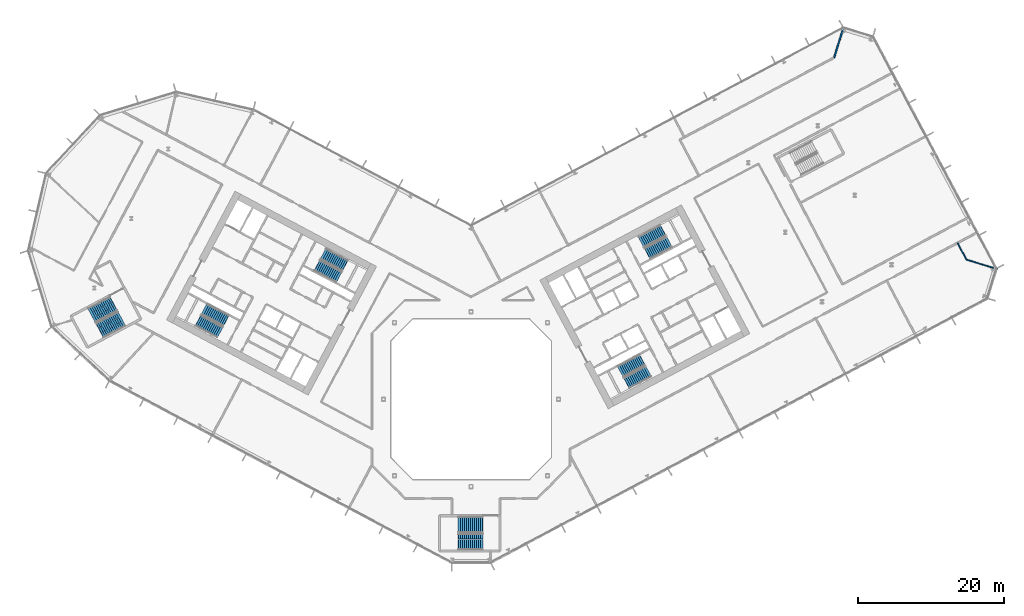
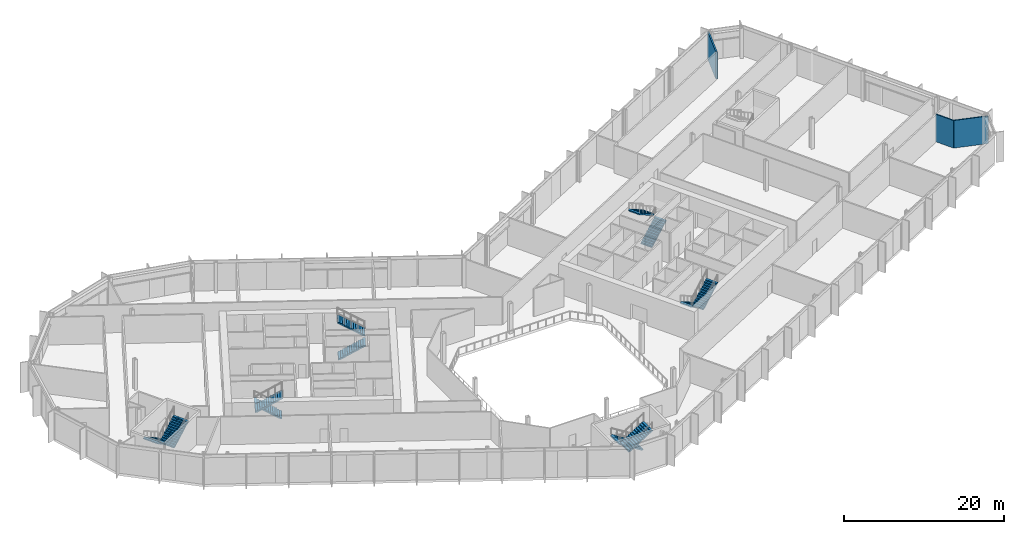
# One storey, part 20 of 32: 12 stair flights, 3 walls, 6 elements without a shape of their own.
"""IFC4 building model written with IfcOpenShell, lengths in metres."""

from ifc_helpers import new_model, si_unit, direction, frame, frame_2d, origin, place, context, subcontext, project, spatial, polyline, rectangle, outline, extrude, material, layer, layer_set, type_object, element, aggregate, save


model = new_model("IFC4")

# Units and contexts
model_context = context("Model", 3, precision=1e-05, world=origin(), true_north=direction((0.0, 1.0)))
body_context = subcontext(model_context, "Body", "Model", "MODEL_VIEW")
ifc_project = project(units=[si_unit("LENGTHUNIT", "METRE"), si_unit("AREAUNIT", "SQUARE_METRE"), si_unit("VOLUMEUNIT", "CUBIC_METRE"), si_unit("PLANEANGLEUNIT", "RADIAN"), si_unit("MASSUNIT", "GRAM", prefix="KILO")], contexts=[model_context])

# Site, building, storey
site_placement = place(None, origin())
site = spatial("IfcSite", under=ifc_project, at=site_placement, CompositionType="ELEMENT")
building_placement = place(site_placement, origin())
building = spatial("IfcBuilding", under=site, at=building_placement, Name="Cormorant Relay Tower", CompositionType="ELEMENT")
storey_placement = place(building_placement, frame((0.0, 0.0, 75.39990234375)))
storey = spatial("IfcBuildingStorey", under=building, at=storey_placement, Name="L14", CompositionType="ELEMENT", Elevation=75.39990234375)

# Walls
ifc_material_1 = material(Name="Fire-rated gypsum board partition")
ifc_layer_1 = layer(ifc_material_1, 0.199951171875)
ifc_layer_set_1 = layer_set([ifc_layer_1], Name="Fire-rated gypsum partition 200")
wall_type_1 = type_object("IfcWallType", Name="Fire-rated gypsum partition 200", PredefinedType="PARTITIONING", material=ifc_layer_set_1)
wall_1_placement = place(storey_placement, frame((49.823974609375, 46.8779296875, 0.0), z_axis=(0.0, 0.0, 1.0), x_axis=(0.29242717897, 0.956287794024, 0.0)))
element("IfcWall", 1, at=wall_1_placement, inside=storey, type_object=wall_type_1, Name="wall/L14/part/39", PredefinedType="PARTITIONING", context=body_context, shape_type="SweptSolid", body=[
    extrude(rectangle(XDim=4.458984375, YDim=0.199951171875, at=frame_2d((2.2294921875, 0.0))), origin(), (0.0, 0.0, 1.0), 4.2001953125),
])
ifc_material_2 = material(Name="Gypsum board partition")
ifc_layer_2 = layer(ifc_material_2, 0.14990234375)
ifc_layer_set_2 = layer_set([ifc_layer_2], Name="Gypsum board partition 150")
wall_type_2 = type_object("IfcWallType", Name="Gypsum board partition 150", PredefinedType="PARTITIONING", material=ifc_layer_set_2)
wall_2_placement = place(storey_placement, frame((66.743896484375, 21.445068359375, 0.0), z_axis=(0.0, 0.0, 1.0), x_axis=(0.469720428517, -0.882815223608, 0.0)))
element("IfcWall", 2, at=wall_2_placement, inside=storey, type_object=wall_type_2, Name="wall/L14/part/50", PredefinedType="PARTITIONING", context=body_context, shape_type="SweptSolid", body=[
    extrude(rectangle(XDim=2.599853515625, YDim=0.14990234375, at=frame_2d((1.2998046875, 0.0))), origin(), (0.0, 0.0, 1.0), 4.2001953125),
])
wall_3_placement = place(storey_placement, frame((67.965087890625, 19.14990234375, 0.0), z_axis=(0.0, 0.0, 1.0), x_axis=(0.956221844793, -0.292642757539, 0.0)))
element("IfcWall", 3, at=wall_3_placement, inside=storey, type_object=wall_type_2, Name="wall/L14/part/51", PredefinedType="PARTITIONING", context=body_context, shape_type="SweptSolid", body=[
    extrude(rectangle(XDim=4.459228515625, YDim=0.14990234375, at=frame_2d((2.2294921875, 0.0))), origin(), (0.0, 0.0, 1.0), 4.2001953125),
])

# Stair, stair flights
ifc_material_3 = material(Name="Concrete 40 MPa", Category="concrete")
stair_type_1 = type_object("IfcStairType", Name="Exit stair 1500", PredefinedType="HALF_TURN_STAIR", material=ifc_material_3)
stair_1_placement = place(storey_placement, origin())
stair_1 = element("IfcStair", 4, at=stair_1_placement, inside=storey, type_object=stair_type_1, Name="L14 Stair", PredefinedType="HALF_TURN_STAIR")
ifc_material_4 = material(Name="Concrete 40 MPa", Category="concrete")
stair_flight_type_1 = type_object("IfcStairFlightType", Name="Exit stair flight 1650", PredefinedType="STRAIGHT", material=ifc_material_4)
stair_flight_1_placement = place(storey_placement, frame((-21.114501953125, 18.33349609375, 0.0), z_axis=(0.0, 0.0, 1.0), x_axis=(0.882947592859, -0.469471562786, 0.0)))
stair_flight_1 = element("IfcStairFlight", 5, at=stair_flight_1_placement, type_object=stair_flight_type_1, Name="A1 flight 1", NumberOfRisers=13, NumberOfTreads=12, PredefinedType="STRAIGHT", RiserHeight=0.176923077, TreadLength=0.28, context=body_context, shape_type="SweptSolid", body=[
    extrude(outline(polyline([(-0.050048828125, -0.080078125), (-0.050048828125, 0.0), (0.0, 0.0), (0.0, 0.177001953125), (0.280029296875, 0.177001953125), (0.280029296875, 0.353759765625), (0.56005859375, 0.353759765625), (0.56005859375, 0.53076171875), (0.840087890625, 0.53076171875), (0.840087890625, 0.707763671875), (1.1201171875, 0.707763671875), (1.1201171875, 0.884521484375), (1.39990234375, 0.884521484375), (1.39990234375, 1.0615234375), (1.679931640625, 1.0615234375), (1.679931640625, 1.238525390625), (1.9599609375, 1.238525390625), (1.9599609375, 1.415283203125), (2.239990234375, 1.415283203125), (2.239990234375, 1.59228515625), (2.52001953125, 1.59228515625), (2.52001953125, 1.769287109375), (2.800048828125, 1.769287109375), (2.800048828125, 1.946044921875), (3.080078125, 1.946044921875), (3.080078125, 2.123046875), (3.360107421875, 2.123046875), (3.41015625, 2.123046875), (3.41015625, 1.94580078125), (3.360107421875, 1.94580078125), (0.280517578125, 0.0), (-0.050048828125, -0.080078125)])), frame((0.0, 0.824951171875, 0.0), z_axis=(0.0, -1.0, 0.0), x_axis=(1.0, 0.0, 0.0)), (0.0, 0.0, 1.0), 1.64990234375),
])
stair_flight_2_placement = place(storey_placement, frame((-17.302734375, 18.345458984375, 2.300048828125), z_axis=(0.0, 0.0, 1.0), x_axis=(-0.882947592859, 0.469471562786, 0.0)))
stair_flight_2 = element("IfcStairFlight", 6, at=stair_flight_2_placement, type_object=stair_flight_type_1, Name="A1 flight 2", NumberOfRisers=13, NumberOfTreads=12, PredefinedType="STRAIGHT", RiserHeight=0.176923077, TreadLength=0.28, context=body_context, shape_type="SweptSolid", body=[
    extrude(outline(polyline([(-0.050048828125, -0.080078125), (-0.050048828125, 0.0), (0.0, 0.0), (0.0, 0.177001953125), (0.280029296875, 0.177001953125), (0.280029296875, 0.353759765625), (0.56005859375, 0.353759765625), (0.56005859375, 0.53076171875), (0.840087890625, 0.53076171875), (0.840087890625, 0.707763671875), (1.1201171875, 0.707763671875), (1.1201171875, 0.884521484375), (1.39990234375, 0.884521484375), (1.39990234375, 1.0615234375), (1.679931640625, 1.0615234375), (1.679931640625, 1.238525390625), (1.9599609375, 1.238525390625), (1.9599609375, 1.415283203125), (2.239990234375, 1.415283203125), (2.239990234375, 1.59228515625), (2.52001953125, 1.59228515625), (2.52001953125, 1.769287109375), (2.800048828125, 1.769287109375), (2.800048828125, 1.946044921875), (3.080078125, 1.946044921875), (3.080078125, 2.123046875), (3.360107421875, 2.123046875), (3.41015625, 2.123046875), (3.41015625, 1.94580078125), (3.360107421875, 1.94580078125), (0.280517578125, 0.0), (-0.050048828125, -0.080078125)])), frame((0.0, 0.824951171875, 0.0), z_axis=(0.0, -1.0, 0.0), x_axis=(1.0, 0.0, 0.0)), (0.0, 0.0, 1.0), 1.64990234375),
])
aggregate(stair_1, [stair_flight_1, stair_flight_2])

stair_2_placement = place(storey_placement, origin())
stair_2 = element("IfcStair", 7, at=stair_2_placement, inside=storey, type_object=stair_type_1, Name="L14 Stair", PredefinedType="HALF_TURN_STAIR")
stair_flight_3_placement = place(storey_placement, frame((-33.62841796875, 10.773681640625, 0.0), z_axis=(0.0, 0.0, 1.0), x_axis=(-0.882947592859, 0.469471562786, 0.0)))
stair_flight_3 = element("IfcStairFlight", 8, at=stair_flight_3_placement, type_object=stair_flight_type_1, Name="A2 flight 1", NumberOfRisers=13, NumberOfTreads=12, PredefinedType="STRAIGHT", RiserHeight=0.176923077, TreadLength=0.28, context=body_context, shape_type="SweptSolid", body=[
    extrude(outline(polyline([(-0.050048828125, -0.080078125), (-0.050048828125, 0.0), (0.0, 0.0), (0.0, 0.177001953125), (0.280029296875, 0.177001953125), (0.280029296875, 0.353759765625), (0.56005859375, 0.353759765625), (0.56005859375, 0.53076171875), (0.840087890625, 0.53076171875), (0.840087890625, 0.707763671875), (1.1201171875, 0.707763671875), (1.1201171875, 0.884521484375), (1.39990234375, 0.884521484375), (1.39990234375, 1.0615234375), (1.679931640625, 1.0615234375), (1.679931640625, 1.238525390625), (1.9599609375, 1.238525390625), (1.9599609375, 1.415283203125), (2.239990234375, 1.415283203125), (2.239990234375, 1.59228515625), (2.52001953125, 1.59228515625), (2.52001953125, 1.769287109375), (2.800048828125, 1.769287109375), (2.800048828125, 1.946044921875), (3.080078125, 1.946044921875), (3.080078125, 2.123046875), (3.360107421875, 2.123046875), (3.41015625, 2.123046875), (3.41015625, 1.94580078125), (3.360107421875, 1.94580078125), (0.280517578125, 0.0), (-0.050048828125, -0.080078125)])), frame((0.0, 0.824951171875, 0.0), z_axis=(0.0, -1.0, 0.0), x_axis=(1.0, 0.0, 0.0)), (0.0, 0.0, 1.0), 1.64990234375),
])
stair_flight_4_placement = place(storey_placement, frame((-37.440185546875, 10.76171875, 2.300048828125), z_axis=(0.0, 0.0, 1.0), x_axis=(0.882947592859, -0.469471562786, 0.0)))
stair_flight_4 = element("IfcStairFlight", 9, at=stair_flight_4_placement, type_object=stair_flight_type_1, Name="A2 flight 2", NumberOfRisers=13, NumberOfTreads=12, PredefinedType="STRAIGHT", RiserHeight=0.176923077, TreadLength=0.28, context=body_context, shape_type="SweptSolid", body=[
    extrude(outline(polyline([(-0.050048828125, -0.080078125), (-0.050048828125, 0.0), (0.0, 0.0), (0.0, 0.177001953125), (0.280029296875, 0.177001953125), (0.280029296875, 0.353759765625), (0.56005859375, 0.353759765625), (0.56005859375, 0.53076171875), (0.840087890625, 0.53076171875), (0.840087890625, 0.707763671875), (1.1201171875, 0.707763671875), (1.1201171875, 0.884521484375), (1.39990234375, 0.884521484375), (1.39990234375, 1.0615234375), (1.679931640625, 1.0615234375), (1.679931640625, 1.238525390625), (1.9599609375, 1.238525390625), (1.9599609375, 1.415283203125), (2.239990234375, 1.415283203125), (2.239990234375, 1.59228515625), (2.52001953125, 1.59228515625), (2.52001953125, 1.769287109375), (2.800048828125, 1.769287109375), (2.800048828125, 1.946044921875), (3.080078125, 1.946044921875), (3.080078125, 2.123046875), (3.360107421875, 2.123046875), (3.41015625, 2.123046875), (3.41015625, 1.94580078125), (3.360107421875, 1.94580078125), (0.280517578125, 0.0), (-0.050048828125, -0.080078125)])), frame((0.0, 0.824951171875, 0.0), z_axis=(0.0, -1.0, 0.0), x_axis=(1.0, 0.0, 0.0)), (0.0, 0.0, 1.0), 1.64990234375),
])
aggregate(stair_2, [stair_flight_3, stair_flight_4])

stair_3_placement = place(storey_placement, origin())
stair_3 = element("IfcStair", 10, at=stair_3_placement, inside=storey, type_object=stair_type_1, Name="L14 Stair", PredefinedType="HALF_TURN_STAIR")
stair_flight_5_placement = place(storey_placement, frame((23.474365234375, 5.374755859375, 0.0), z_axis=(0.0, 0.0, 1.0), x_axis=(-0.882947592859, -0.469471562786, 0.0)))
stair_flight_5 = element("IfcStairFlight", 11, at=stair_flight_5_placement, type_object=stair_flight_type_1, Name="B1 flight 1", NumberOfRisers=13, NumberOfTreads=12, PredefinedType="STRAIGHT", RiserHeight=0.176923077, TreadLength=0.28, context=body_context, shape_type="SweptSolid", body=[
    extrude(outline(polyline([(-0.050048828125, -0.080078125), (-0.050048828125, 0.0), (0.0, 0.0), (0.0, 0.177001953125), (0.280029296875, 0.177001953125), (0.280029296875, 0.353759765625), (0.56005859375, 0.353759765625), (0.56005859375, 0.53076171875), (0.840087890625, 0.53076171875), (0.840087890625, 0.707763671875), (1.1201171875, 0.707763671875), (1.1201171875, 0.884521484375), (1.39990234375, 0.884521484375), (1.39990234375, 1.0615234375), (1.679931640625, 1.0615234375), (1.679931640625, 1.238525390625), (1.9599609375, 1.238525390625), (1.9599609375, 1.415283203125), (2.239990234375, 1.415283203125), (2.239990234375, 1.59228515625), (2.52001953125, 1.59228515625), (2.52001953125, 1.769287109375), (2.800048828125, 1.769287109375), (2.800048828125, 1.946044921875), (3.080078125, 1.946044921875), (3.080078125, 2.123046875), (3.360107421875, 2.123046875), (3.41015625, 2.123046875), (3.41015625, 1.94580078125), (3.360107421875, 1.94580078125), (0.280517578125, 0.0), (-0.050048828125, -0.080078125)])), frame((0.0, 0.824951171875, 0.0), z_axis=(0.0, -1.0, 0.0), x_axis=(1.0, 0.0, 0.0)), (0.0, 0.0, 1.0), 1.64990234375),
])
stair_flight_6_placement = place(storey_placement, frame((21.352783203125, 2.2080078125, 2.300048828125), z_axis=(0.0, 0.0, 1.0), x_axis=(0.882947592859, 0.469471562786, 0.0)))
stair_flight_6 = element("IfcStairFlight", 12, at=stair_flight_6_placement, type_object=stair_flight_type_1, Name="B1 flight 2", NumberOfRisers=13, NumberOfTreads=12, PredefinedType="STRAIGHT", RiserHeight=0.176923077, TreadLength=0.28, context=body_context, shape_type="SweptSolid", body=[
    extrude(outline(polyline([(-0.050048828125, -0.080078125), (-0.050048828125, 0.0), (0.0, 0.0), (0.0, 0.177001953125), (0.280029296875, 0.177001953125), (0.280029296875, 0.353759765625), (0.56005859375, 0.353759765625), (0.56005859375, 0.53076171875), (0.840087890625, 0.53076171875), (0.840087890625, 0.707763671875), (1.1201171875, 0.707763671875), (1.1201171875, 0.884521484375), (1.39990234375, 0.884521484375), (1.39990234375, 1.0615234375), (1.679931640625, 1.0615234375), (1.679931640625, 1.238525390625), (1.9599609375, 1.238525390625), (1.9599609375, 1.415283203125), (2.239990234375, 1.415283203125), (2.239990234375, 1.59228515625), (2.52001953125, 1.59228515625), (2.52001953125, 1.769287109375), (2.800048828125, 1.769287109375), (2.800048828125, 1.946044921875), (3.080078125, 1.946044921875), (3.080078125, 2.123046875), (3.360107421875, 2.123046875), (3.41015625, 2.123046875), (3.41015625, 1.94580078125), (3.360107421875, 1.94580078125), (0.280517578125, 0.0), (-0.050048828125, -0.080078125)])), frame((0.0, 0.824951171875, 0.0), z_axis=(0.0, -1.0, 0.0), x_axis=(1.0, 0.0, 0.0)), (0.0, 0.0, 1.0), 1.64990234375),
])
aggregate(stair_3, [stair_flight_5, stair_flight_6])

stair_4_placement = place(storey_placement, origin())
stair_4 = element("IfcStair", 13, at=stair_4_placement, inside=storey, type_object=stair_type_1, Name="L14 Stair", PredefinedType="HALF_TURN_STAIR")
stair_flight_7_placement = place(storey_placement, frame((24.20458984375, 19.976806640625, 0.0), z_axis=(0.0, 0.0, 1.0), x_axis=(0.882947592859, 0.469471562786, 0.0)))
stair_flight_7 = element("IfcStairFlight", 14, at=stair_flight_7_placement, type_object=stair_flight_type_1, Name="B2 flight 1", NumberOfRisers=13, NumberOfTreads=12, PredefinedType="STRAIGHT", RiserHeight=0.176923077, TreadLength=0.28, context=body_context, shape_type="SweptSolid", body=[
    extrude(outline(polyline([(-0.050048828125, -0.080078125), (-0.050048828125, 0.0), (0.0, 0.0), (0.0, 0.177001953125), (0.280029296875, 0.177001953125), (0.280029296875, 0.353759765625), (0.56005859375, 0.353759765625), (0.56005859375, 0.53076171875), (0.840087890625, 0.53076171875), (0.840087890625, 0.707763671875), (1.1201171875, 0.707763671875), (1.1201171875, 0.884521484375), (1.39990234375, 0.884521484375), (1.39990234375, 1.0615234375), (1.679931640625, 1.0615234375), (1.679931640625, 1.238525390625), (1.9599609375, 1.238525390625), (1.9599609375, 1.415283203125), (2.239990234375, 1.415283203125), (2.239990234375, 1.59228515625), (2.52001953125, 1.59228515625), (2.52001953125, 1.769287109375), (2.800048828125, 1.769287109375), (2.800048828125, 1.946044921875), (3.080078125, 1.946044921875), (3.080078125, 2.123046875), (3.360107421875, 2.123046875), (3.41015625, 2.123046875), (3.41015625, 1.94580078125), (3.360107421875, 1.94580078125), (0.280517578125, 0.0), (-0.050048828125, -0.080078125)])), frame((0.0, 0.824951171875, 0.0), z_axis=(0.0, -1.0, 0.0), x_axis=(1.0, 0.0, 0.0)), (0.0, 0.0, 1.0), 1.64990234375),
])
stair_flight_8_placement = place(storey_placement, frame((26.326416015625, 23.1435546875, 2.300048828125), z_axis=(0.0, 0.0, 1.0), x_axis=(-0.882947592859, -0.469471562786, 0.0)))
stair_flight_8 = element("IfcStairFlight", 15, at=stair_flight_8_placement, type_object=stair_flight_type_1, Name="B2 flight 2", NumberOfRisers=13, NumberOfTreads=12, PredefinedType="STRAIGHT", RiserHeight=0.176923077, TreadLength=0.28, context=body_context, shape_type="SweptSolid", body=[
    extrude(outline(polyline([(-0.050048828125, -0.080078125), (-0.050048828125, 0.0), (0.0, 0.0), (0.0, 0.177001953125), (0.280029296875, 0.177001953125), (0.280029296875, 0.353759765625), (0.56005859375, 0.353759765625), (0.56005859375, 0.53076171875), (0.840087890625, 0.53076171875), (0.840087890625, 0.707763671875), (1.1201171875, 0.707763671875), (1.1201171875, 0.884521484375), (1.39990234375, 0.884521484375), (1.39990234375, 1.0615234375), (1.679931640625, 1.0615234375), (1.679931640625, 1.238525390625), (1.9599609375, 1.238525390625), (1.9599609375, 1.415283203125), (2.239990234375, 1.415283203125), (2.239990234375, 1.59228515625), (2.52001953125, 1.59228515625), (2.52001953125, 1.769287109375), (2.800048828125, 1.769287109375), (2.800048828125, 1.946044921875), (3.080078125, 1.946044921875), (3.080078125, 2.123046875), (3.360107421875, 2.123046875), (3.41015625, 2.123046875), (3.41015625, 1.94580078125), (3.360107421875, 1.94580078125), (0.280517578125, 0.0), (-0.050048828125, -0.080078125)])), frame((0.0, 0.824951171875, 0.0), z_axis=(0.0, -1.0, 0.0), x_axis=(1.0, 0.0, 0.0)), (0.0, 0.0, 1.0), 1.64990234375),
])
aggregate(stair_4, [stair_flight_7, stair_flight_8])

ifc_material_5 = material(Name="Concrete 40 MPa", Category="concrete")
stair_type_2 = type_object("IfcStairType", Name="Remote exit stair 2200", PredefinedType="HALF_TURN_STAIR", material=ifc_material_5)
stair_5_placement = place(storey_placement, origin())
stair_5 = element("IfcStair", 16, at=stair_5_placement, inside=storey, type_object=stair_type_2, Name="L14 Stair", PredefinedType="HALF_TURN_STAIR")
ifc_material_6 = material(Name="Concrete 40 MPa", Category="concrete")
stair_flight_type_2 = type_object("IfcStairFlightType", Name="Remote exit stair flight 2200", PredefinedType="STRAIGHT", material=ifc_material_6)
stair_flight_9_placement = place(storey_placement, frame((1.60009765625, -17.22509765625, 0.0), z_axis=(0.0, 0.0, 1.0), x_axis=(-1.0, 0.0, 0.0)))
stair_flight_9 = element("IfcStairFlight", 17, at=stair_flight_9_placement, type_object=stair_flight_type_2, Name="RK1 flight 1", NumberOfRisers=13, NumberOfTreads=12, PredefinedType="STRAIGHT", RiserHeight=0.176923077, TreadLength=0.28, context=body_context, shape_type="SweptSolid", body=[
    extrude(outline(polyline([(-0.050048828125, -0.080078125), (-0.050048828125, 0.0), (0.0, 0.0), (0.0, 0.177001953125), (0.280029296875, 0.177001953125), (0.280029296875, 0.353759765625), (0.56005859375, 0.353759765625), (0.56005859375, 0.53076171875), (0.840087890625, 0.53076171875), (0.840087890625, 0.707763671875), (1.1201171875, 0.707763671875), (1.1201171875, 0.884521484375), (1.39990234375, 0.884521484375), (1.39990234375, 1.0615234375), (1.679931640625, 1.0615234375), (1.679931640625, 1.238525390625), (1.9599609375, 1.238525390625), (1.9599609375, 1.415283203125), (2.239990234375, 1.415283203125), (2.239990234375, 1.59228515625), (2.52001953125, 1.59228515625), (2.52001953125, 1.769287109375), (2.800048828125, 1.769287109375), (2.800048828125, 1.946044921875), (3.080078125, 1.946044921875), (3.080078125, 2.123046875), (3.360107421875, 2.123046875), (3.41015625, 2.123046875), (3.41015625, 1.94580078125), (3.360107421875, 1.94580078125), (0.280517578125, 0.0), (-0.050048828125, -0.080078125)])), frame((0.0, 1.10009765625, 0.0), z_axis=(0.0, -1.0, 0.0), x_axis=(1.0, 0.0, 0.0)), (0.0, 0.0, 1.0), 0.719970703125),
    extrude(outline(polyline([(-0.050048828125, -0.080078125), (-0.050048828125, 0.0), (0.0, 0.0), (0.0, 0.177001953125), (0.280029296875, 0.177001953125), (0.280029296875, 0.353759765625), (0.56005859375, 0.353759765625), (0.56005859375, 0.53076171875), (0.840087890625, 0.53076171875), (0.840087890625, 0.707763671875), (1.1201171875, 0.707763671875), (1.1201171875, 0.884521484375), (1.39990234375, 0.884521484375), (1.39990234375, 1.0615234375), (1.679931640625, 1.0615234375), (1.679931640625, 1.238525390625), (1.9599609375, 1.238525390625), (1.9599609375, 1.415283203125), (2.239990234375, 1.415283203125), (2.239990234375, 1.59228515625), (2.52001953125, 1.59228515625), (2.52001953125, 1.769287109375), (2.800048828125, 1.769287109375), (2.800048828125, 1.946044921875), (3.080078125, 1.946044921875), (3.080078125, 2.123046875), (3.360107421875, 2.123046875), (3.41015625, 2.123046875), (3.41015625, 1.94580078125), (3.360107421875, 1.94580078125), (0.280517578125, 0.0), (-0.050048828125, -0.080078125)])), frame((0.0, 0.360107421875, 0.0), z_axis=(0.0, -1.0, 0.0), x_axis=(1.0, 0.0, 0.0)), (0.0, 0.0, 1.0), 0.719970703125),
    extrude(outline(polyline([(-0.050048828125, -0.080078125), (-0.050048828125, 0.0), (0.0, 0.0), (0.0, 0.177001953125), (0.280029296875, 0.177001953125), (0.280029296875, 0.353759765625), (0.56005859375, 0.353759765625), (0.56005859375, 0.53076171875), (0.840087890625, 0.53076171875), (0.840087890625, 0.707763671875), (1.1201171875, 0.707763671875), (1.1201171875, 0.884521484375), (1.39990234375, 0.884521484375), (1.39990234375, 1.0615234375), (1.679931640625, 1.0615234375), (1.679931640625, 1.238525390625), (1.9599609375, 1.238525390625), (1.9599609375, 1.415283203125), (2.239990234375, 1.415283203125), (2.239990234375, 1.59228515625), (2.52001953125, 1.59228515625), (2.52001953125, 1.769287109375), (2.800048828125, 1.769287109375), (2.800048828125, 1.946044921875), (3.080078125, 1.946044921875), (3.080078125, 2.123046875), (3.360107421875, 2.123046875), (3.41015625, 2.123046875), (3.41015625, 1.94580078125), (3.360107421875, 1.94580078125), (0.280517578125, 0.0), (-0.050048828125, -0.080078125)])), frame((0.0, -0.3798828125, 0.0), z_axis=(0.0, -1.0, 0.0), x_axis=(1.0, 0.0, 0.0)), (0.0, 0.0, 1.0), 0.719970703125),
])
stair_flight_10_placement = place(storey_placement, frame((-1.760009765625, -19.574951171875, 2.300048828125), z_axis=(0.0, 0.0, 1.0), x_axis=(1.0, 0.0, 0.0)))
stair_flight_10 = element("IfcStairFlight", 18, at=stair_flight_10_placement, type_object=stair_flight_type_2, Name="RK1 flight 2", NumberOfRisers=13, NumberOfTreads=12, PredefinedType="STRAIGHT", RiserHeight=0.176923077, TreadLength=0.28, context=body_context, shape_type="SweptSolid", body=[
    extrude(outline(polyline([(-0.050048828125, -0.080078125), (-0.050048828125, 0.0), (0.0, 0.0), (0.0, 0.177001953125), (0.280029296875, 0.177001953125), (0.280029296875, 0.353759765625), (0.56005859375, 0.353759765625), (0.56005859375, 0.53076171875), (0.840087890625, 0.53076171875), (0.840087890625, 0.707763671875), (1.1201171875, 0.707763671875), (1.1201171875, 0.884521484375), (1.39990234375, 0.884521484375), (1.39990234375, 1.0615234375), (1.679931640625, 1.0615234375), (1.679931640625, 1.238525390625), (1.9599609375, 1.238525390625), (1.9599609375, 1.415283203125), (2.239990234375, 1.415283203125), (2.239990234375, 1.59228515625), (2.52001953125, 1.59228515625), (2.52001953125, 1.769287109375), (2.800048828125, 1.769287109375), (2.800048828125, 1.946044921875), (3.080078125, 1.946044921875), (3.080078125, 2.123046875), (3.360107421875, 2.123046875), (3.41015625, 2.123046875), (3.41015625, 1.94580078125), (3.360107421875, 1.94580078125), (0.280517578125, 0.0), (-0.050048828125, -0.080078125)])), frame((0.0, 1.10009765625, 0.0), z_axis=(0.0, -1.0, 0.0), x_axis=(1.0, 0.0, 0.0)), (0.0, 0.0, 1.0), 0.719970703125),
    extrude(outline(polyline([(-0.050048828125, -0.080078125), (-0.050048828125, 0.0), (0.0, 0.0), (0.0, 0.177001953125), (0.280029296875, 0.177001953125), (0.280029296875, 0.353759765625), (0.56005859375, 0.353759765625), (0.56005859375, 0.53076171875), (0.840087890625, 0.53076171875), (0.840087890625, 0.707763671875), (1.1201171875, 0.707763671875), (1.1201171875, 0.884521484375), (1.39990234375, 0.884521484375), (1.39990234375, 1.0615234375), (1.679931640625, 1.0615234375), (1.679931640625, 1.238525390625), (1.9599609375, 1.238525390625), (1.9599609375, 1.415283203125), (2.239990234375, 1.415283203125), (2.239990234375, 1.59228515625), (2.52001953125, 1.59228515625), (2.52001953125, 1.769287109375), (2.800048828125, 1.769287109375), (2.800048828125, 1.946044921875), (3.080078125, 1.946044921875), (3.080078125, 2.123046875), (3.360107421875, 2.123046875), (3.41015625, 2.123046875), (3.41015625, 1.94580078125), (3.360107421875, 1.94580078125), (0.280517578125, 0.0), (-0.050048828125, -0.080078125)])), frame((0.0, 0.360107421875, 0.0), z_axis=(0.0, -1.0, 0.0), x_axis=(1.0, 0.0, 0.0)), (0.0, 0.0, 1.0), 0.719970703125),
    extrude(outline(polyline([(-0.050048828125, -0.080078125), (-0.050048828125, 0.0), (0.0, 0.0), (0.0, 0.177001953125), (0.280029296875, 0.177001953125), (0.280029296875, 0.353759765625), (0.56005859375, 0.353759765625), (0.56005859375, 0.53076171875), (0.840087890625, 0.53076171875), (0.840087890625, 0.707763671875), (1.1201171875, 0.707763671875), (1.1201171875, 0.884521484375), (1.39990234375, 0.884521484375), (1.39990234375, 1.0615234375), (1.679931640625, 1.0615234375), (1.679931640625, 1.238525390625), (1.9599609375, 1.238525390625), (1.9599609375, 1.415283203125), (2.239990234375, 1.415283203125), (2.239990234375, 1.59228515625), (2.52001953125, 1.59228515625), (2.52001953125, 1.769287109375), (2.800048828125, 1.769287109375), (2.800048828125, 1.946044921875), (3.080078125, 1.946044921875), (3.080078125, 2.123046875), (3.360107421875, 2.123046875), (3.41015625, 2.123046875), (3.41015625, 1.94580078125), (3.360107421875, 1.94580078125), (0.280517578125, 0.0), (-0.050048828125, -0.080078125)])), frame((0.0, -0.3798828125, 0.0), z_axis=(0.0, -1.0, 0.0), x_axis=(1.0, 0.0, 0.0)), (0.0, 0.0, 1.0), 0.719970703125),
])
aggregate(stair_5, [stair_flight_9, stair_flight_10])

stair_6_placement = place(storey_placement, origin())
stair_6 = element("IfcStair", 19, at=stair_6_placement, inside=storey, type_object=stair_type_2, Name="L14 Stair", PredefinedType="HALF_TURN_STAIR")
stair_flight_11_placement = place(storey_placement, frame((-49.062255859375, 13.08251953125, 0.0), z_axis=(0.0, 0.0, 1.0), x_axis=(-0.882947502727, -0.4694717323, 0.0)))
stair_flight_11 = element("IfcStairFlight", 20, at=stair_flight_11_placement, type_object=stair_flight_type_2, Name="RP1 flight 1", NumberOfRisers=13, NumberOfTreads=12, PredefinedType="STRAIGHT", RiserHeight=0.176923077, TreadLength=0.28, context=body_context, shape_type="SweptSolid", body=[
    extrude(outline(polyline([(-0.050048828125, -0.080078125), (-0.050048828125, 0.0), (0.0, 0.0), (0.0, 0.177001953125), (0.280029296875, 0.177001953125), (0.280029296875, 0.353759765625), (0.56005859375, 0.353759765625), (0.56005859375, 0.53076171875), (0.840087890625, 0.53076171875), (0.840087890625, 0.707763671875), (1.1201171875, 0.707763671875), (1.1201171875, 0.884521484375), (1.39990234375, 0.884521484375), (1.39990234375, 1.0615234375), (1.679931640625, 1.0615234375), (1.679931640625, 1.238525390625), (1.9599609375, 1.238525390625), (1.9599609375, 1.415283203125), (2.239990234375, 1.415283203125), (2.239990234375, 1.59228515625), (2.52001953125, 1.59228515625), (2.52001953125, 1.769287109375), (2.800048828125, 1.769287109375), (2.800048828125, 1.946044921875), (3.080078125, 1.946044921875), (3.080078125, 2.123046875), (3.360107421875, 2.123046875), (3.41015625, 2.123046875), (3.41015625, 1.94580078125), (3.360107421875, 1.94580078125), (0.280517578125, 0.0), (-0.050048828125, -0.080078125)])), frame((0.0, 1.10009765625, 0.0), z_axis=(0.0, -1.0, 0.0), x_axis=(1.0, 0.0, 0.0)), (0.0, 0.0, 1.0), 0.719970703125),
    extrude(outline(polyline([(-0.050048828125, -0.080078125), (-0.050048828125, 0.0), (0.0, 0.0), (0.0, 0.177001953125), (0.280029296875, 0.177001953125), (0.280029296875, 0.353759765625), (0.56005859375, 0.353759765625), (0.56005859375, 0.53076171875), (0.840087890625, 0.53076171875), (0.840087890625, 0.707763671875), (1.1201171875, 0.707763671875), (1.1201171875, 0.884521484375), (1.39990234375, 0.884521484375), (1.39990234375, 1.0615234375), (1.679931640625, 1.0615234375), (1.679931640625, 1.238525390625), (1.9599609375, 1.238525390625), (1.9599609375, 1.415283203125), (2.239990234375, 1.415283203125), (2.239990234375, 1.59228515625), (2.52001953125, 1.59228515625), (2.52001953125, 1.769287109375), (2.800048828125, 1.769287109375), (2.800048828125, 1.946044921875), (3.080078125, 1.946044921875), (3.080078125, 2.123046875), (3.360107421875, 2.123046875), (3.41015625, 2.123046875), (3.41015625, 1.94580078125), (3.360107421875, 1.94580078125), (0.280517578125, 0.0), (-0.050048828125, -0.080078125)])), frame((0.0, 0.360107421875, 0.0), z_axis=(0.0, -1.0, 0.0), x_axis=(1.0, 0.0, 0.0)), (0.0, 0.0, 1.0), 0.719970703125),
    extrude(outline(polyline([(-0.050048828125, -0.080078125), (-0.050048828125, 0.0), (0.0, 0.0), (0.0, 0.177001953125), (0.280029296875, 0.177001953125), (0.280029296875, 0.353759765625), (0.56005859375, 0.353759765625), (0.56005859375, 0.53076171875), (0.840087890625, 0.53076171875), (0.840087890625, 0.707763671875), (1.1201171875, 0.707763671875), (1.1201171875, 0.884521484375), (1.39990234375, 0.884521484375), (1.39990234375, 1.0615234375), (1.679931640625, 1.0615234375), (1.679931640625, 1.238525390625), (1.9599609375, 1.238525390625), (1.9599609375, 1.415283203125), (2.239990234375, 1.415283203125), (2.239990234375, 1.59228515625), (2.52001953125, 1.59228515625), (2.52001953125, 1.769287109375), (2.800048828125, 1.769287109375), (2.800048828125, 1.946044921875), (3.080078125, 1.946044921875), (3.080078125, 2.123046875), (3.360107421875, 2.123046875), (3.41015625, 2.123046875), (3.41015625, 1.94580078125), (3.360107421875, 1.94580078125), (0.280517578125, 0.0), (-0.050048828125, -0.080078125)])), frame((0.0, -0.3798828125, 0.0), z_axis=(0.0, -1.0, 0.0), x_axis=(1.0, 0.0, 0.0)), (0.0, 0.0, 1.0), 0.719970703125),
])
stair_flight_12_placement = place(storey_placement, frame((-50.92578125, 9.43017578125, 2.300048828125), z_axis=(0.0, 0.0, 1.0), x_axis=(0.882947502727, 0.4694717323, 0.0)))
stair_flight_12 = element("IfcStairFlight", 21, at=stair_flight_12_placement, type_object=stair_flight_type_2, Name="RP1 flight 2", NumberOfRisers=13, NumberOfTreads=12, PredefinedType="STRAIGHT", RiserHeight=0.176923077, TreadLength=0.28, context=body_context, shape_type="SweptSolid", body=[
    extrude(outline(polyline([(-0.050048828125, -0.080078125), (-0.050048828125, 0.0), (0.0, 0.0), (0.0, 0.177001953125), (0.280029296875, 0.177001953125), (0.280029296875, 0.353759765625), (0.56005859375, 0.353759765625), (0.56005859375, 0.53076171875), (0.840087890625, 0.53076171875), (0.840087890625, 0.707763671875), (1.1201171875, 0.707763671875), (1.1201171875, 0.884521484375), (1.39990234375, 0.884521484375), (1.39990234375, 1.0615234375), (1.679931640625, 1.0615234375), (1.679931640625, 1.238525390625), (1.9599609375, 1.238525390625), (1.9599609375, 1.415283203125), (2.239990234375, 1.415283203125), (2.239990234375, 1.59228515625), (2.52001953125, 1.59228515625), (2.52001953125, 1.769287109375), (2.800048828125, 1.769287109375), (2.800048828125, 1.946044921875), (3.080078125, 1.946044921875), (3.080078125, 2.123046875), (3.360107421875, 2.123046875), (3.41015625, 2.123046875), (3.41015625, 1.94580078125), (3.360107421875, 1.94580078125), (0.280517578125, 0.0), (-0.050048828125, -0.080078125)])), frame((0.0, 1.10009765625, 0.0), z_axis=(0.0, -1.0, 0.0), x_axis=(1.0, 0.0, 0.0)), (0.0, 0.0, 1.0), 0.719970703125),
    extrude(outline(polyline([(-0.050048828125, -0.080078125), (-0.050048828125, 0.0), (0.0, 0.0), (0.0, 0.177001953125), (0.280029296875, 0.177001953125), (0.280029296875, 0.353759765625), (0.56005859375, 0.353759765625), (0.56005859375, 0.53076171875), (0.840087890625, 0.53076171875), (0.840087890625, 0.707763671875), (1.1201171875, 0.707763671875), (1.1201171875, 0.884521484375), (1.39990234375, 0.884521484375), (1.39990234375, 1.0615234375), (1.679931640625, 1.0615234375), (1.679931640625, 1.238525390625), (1.9599609375, 1.238525390625), (1.9599609375, 1.415283203125), (2.239990234375, 1.415283203125), (2.239990234375, 1.59228515625), (2.52001953125, 1.59228515625), (2.52001953125, 1.769287109375), (2.800048828125, 1.769287109375), (2.800048828125, 1.946044921875), (3.080078125, 1.946044921875), (3.080078125, 2.123046875), (3.360107421875, 2.123046875), (3.41015625, 2.123046875), (3.41015625, 1.94580078125), (3.360107421875, 1.94580078125), (0.280517578125, 0.0), (-0.050048828125, -0.080078125)])), frame((0.0, 0.360107421875, 0.0), z_axis=(0.0, -1.0, 0.0), x_axis=(1.0, 0.0, 0.0)), (0.0, 0.0, 1.0), 0.719970703125),
    extrude(outline(polyline([(-0.050048828125, -0.080078125), (-0.050048828125, 0.0), (0.0, 0.0), (0.0, 0.177001953125), (0.280029296875, 0.177001953125), (0.280029296875, 0.353759765625), (0.56005859375, 0.353759765625), (0.56005859375, 0.53076171875), (0.840087890625, 0.53076171875), (0.840087890625, 0.707763671875), (1.1201171875, 0.707763671875), (1.1201171875, 0.884521484375), (1.39990234375, 0.884521484375), (1.39990234375, 1.0615234375), (1.679931640625, 1.0615234375), (1.679931640625, 1.238525390625), (1.9599609375, 1.238525390625), (1.9599609375, 1.415283203125), (2.239990234375, 1.415283203125), (2.239990234375, 1.59228515625), (2.52001953125, 1.59228515625), (2.52001953125, 1.769287109375), (2.800048828125, 1.769287109375), (2.800048828125, 1.946044921875), (3.080078125, 1.946044921875), (3.080078125, 2.123046875), (3.360107421875, 2.123046875), (3.41015625, 2.123046875), (3.41015625, 1.94580078125), (3.360107421875, 1.94580078125), (0.280517578125, 0.0), (-0.050048828125, -0.080078125)])), frame((0.0, -0.3798828125, 0.0), z_axis=(0.0, -1.0, 0.0), x_axis=(1.0, 0.0, 0.0)), (0.0, 0.0, 1.0), 0.719970703125),
])
aggregate(stair_6, [stair_flight_11, stair_flight_12])

save(model, "model.ifc")
